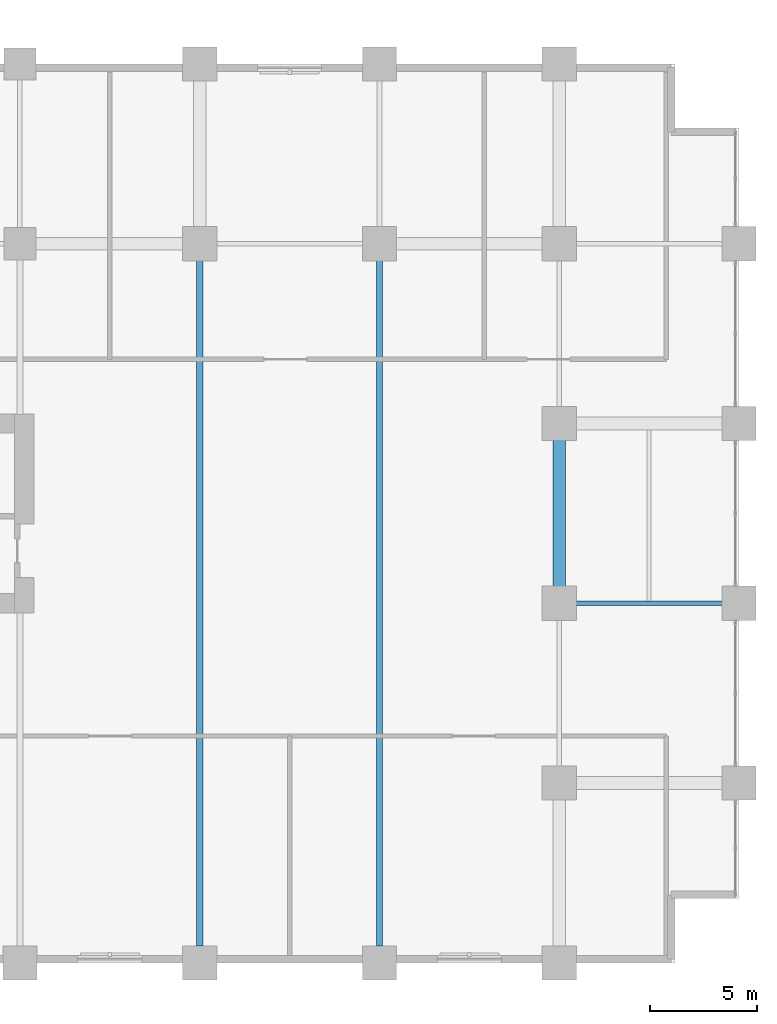
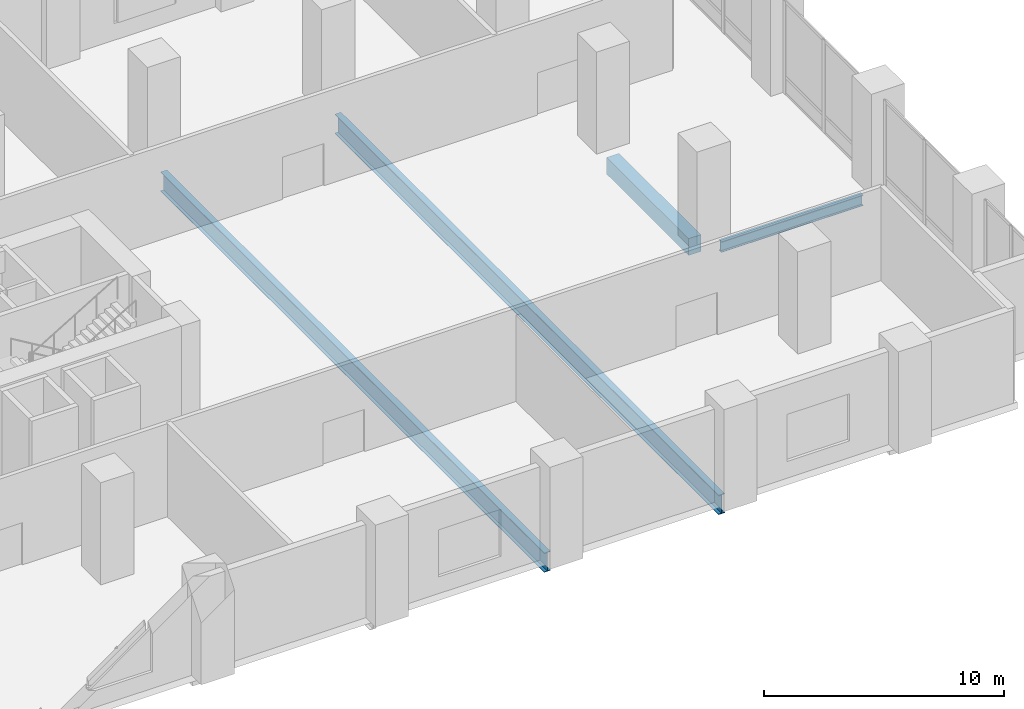
# One storey, part 4 of 23: 4 beams.
"""IFC4 building model written with IfcOpenShell, lengths in metres."""

from ifc_helpers import new_model, si_unit, direction, frame, origin, origin_2d, place, context, subcontext, project, spatial, rectangle, i_section, extrude, material, material_profile, profile_set, type_object, element, save


model = new_model("IFC4")

# Units and contexts
model_context = context("Model", 3, precision=1e-05, world=origin(), true_north=direction((0.0, 1.0)))
body_context = subcontext(model_context, "Body", "Model", "MODEL_VIEW")
ifc_project = project(units=[si_unit("LENGTHUNIT", "METRE"), si_unit("AREAUNIT", "SQUARE_METRE"), si_unit("VOLUMEUNIT", "CUBIC_METRE"), si_unit("PLANEANGLEUNIT", "RADIAN"), si_unit("MASSUNIT", "GRAM", prefix="KILO")], contexts=[model_context])

# Site, building, storey
site_placement = place(None, origin())
site = spatial("IfcSite", under=ifc_project, at=site_placement, CompositionType="ELEMENT")
building_placement = place(site_placement, origin())
building = spatial("IfcBuilding", under=site, at=building_placement, Name="Koriwani Terraces Tower", CompositionType="ELEMENT")
storey_placement = place(building_placement, frame((0.0, 0.0, 20.800048828125)))
storey = spatial("IfcBuildingStorey", under=building, at=storey_placement, Name="L04", CompositionType="ELEMENT", Elevation=20.800048828125)

# Beams
ifc_material_1 = material(Name="Concrete C60/75", Category="concrete")
ifc_material_profile_1 = material_profile(ifc_material_1, rectangle(XDim=0.60009765625, YDim=0.85009765625, at=origin_2d()), Name="Concrete C60/75", Category="LoadBearing")
ifc_profile_set_1 = profile_set([ifc_material_profile_1], Name="Concrete C60/75")
beam_type_1 = type_object("IfcBeamType", Name="BEAM_RC_GRID_600X850", PredefinedType="BEAM", material=ifc_profile_set_1)
beam_1_placement = place(storey_placement, frame((84.0, 17.580078125, -0.775146484375), z_axis=(0.0, 1.0, 0.0), x_axis=(-1.0, 0.0, 0.0)))
element("IfcBeam", 1, at=beam_1_placement, inside=storey, type_object=beam_type_1, Name="L04 Grid Beam 11 (16.8-25.2m)", PredefinedType="BEAM", context=body_context, shape_type="SweptSolid", body=[
    extrude(rectangle(XDim=0.60009765625, YDim=0.85009765625, at=origin_2d()), origin(), (0.0, 0.0, 1.0), 6.83984375),
])
ifc_material_2 = material(Name="Steel ASTM A572 Grade 50", Category="steel")
ifc_material_profile_2 = material_profile(ifc_material_2, i_section(OverallWidth=0.300048828125, OverallDepth=0.989990234375, WebThickness=0.0166015625, FlangeThickness=0.031005859375, at=origin_2d()), Name="Steel ASTM A572 Grade 50", Category="LoadBearing")
ifc_profile_set_2 = profile_set([ifc_material_profile_2], Name="Steel ASTM A572 Grade 50")
beam_type_2 = type_object("IfcBeamType", Name="STEEL_BEAM_W1000X321", PredefinedType="USERDEFINED", material=ifc_profile_set_2)
for number, where, z_axis, x_axis, name in (
    (2, (67.199951171875, 0.780029296875, -0.844970703125), (0.0, 1.0, 0.0), (-1.0, 0.0, 0.0), "L04 Grand Ballroom Clear-Span Steel Girder X=67.2m"),
    (3, (75.60009765625, 0.780029296875, -0.844970703125), (0.0, 1.0, 0.0), (-1.0, 0.0, 0.0), "L04 Grand Ballroom Clear-Span Steel Girder X=75.6m"),
):
    element("IfcBeam", number, at=place(storey_placement, frame(where, z_axis=z_axis, x_axis=x_axis)), inside=storey, type_object=beam_type_2, Name=name, ObjectType="GIRDER", PredefinedType="USERDEFINED", context=body_context, shape_type="SweptSolid", body=[
        extrude(i_section(OverallWidth=0.300048828125, OverallDepth=0.989990234375, WebThickness=0.0166015625, FlangeThickness=0.031005859375, at=origin_2d()), origin(), (0.0, 0.0, 1.0), 32.0400390625),
    ])
ifc_material_profile_3 = material_profile(ifc_material_2, i_section(OverallWidth=0.2119140625, OverallDepth=0.54296875, WebThickness=0.0126953125, FlangeThickness=0.021240234375, at=origin_2d()), Name="Steel ASTM A572 Grade 50", Category="LoadBearing")
ifc_profile_set_3 = profile_set([ifc_material_profile_3], Name="Steel ASTM A572 Grade 50")
beam_type_3 = type_object("IfcBeamType", Name="STEEL_BEAM_W530X150", PredefinedType="BEAM", material=ifc_profile_set_3)
beam_2_placement = place(storey_placement, frame((84.780029296875, 16.800048828125, -0.62158203125), z_axis=(1.0, 0.0, 0.0), x_axis=(0.0, 1.0, 0.0)))
element("IfcBeam", 4, at=beam_2_placement, inside=storey, type_object=beam_type_3, Name="L04 Grid Beam C (84.0-92.4m)", PredefinedType="BEAM", context=body_context, shape_type="SweptSolid", body=[
    extrude(i_section(OverallWidth=0.2119140625, OverallDepth=0.54296875, WebThickness=0.0126953125, FlangeThickness=0.021240234375, at=origin_2d()), origin(), (0.0, 0.0, 1.0), 6.840087890625),
])

save(model, "model.ifc")
